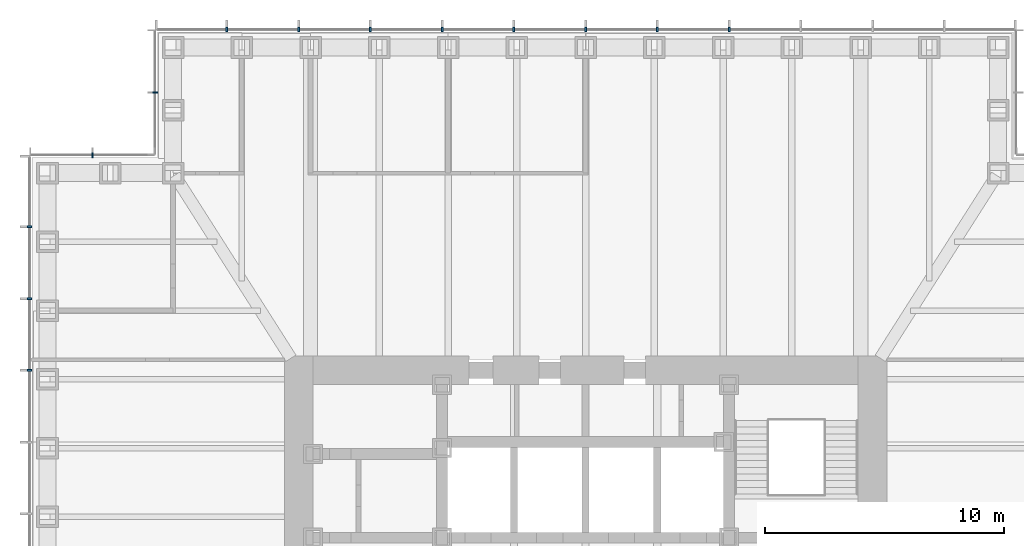
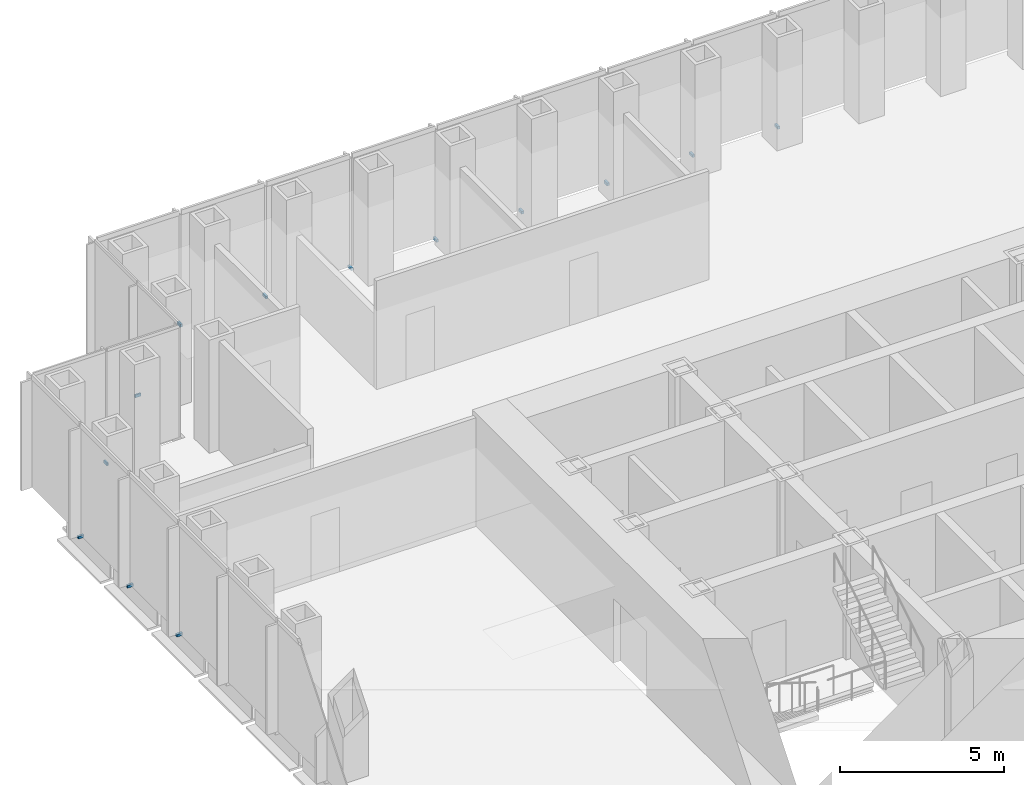
# One storey, part 14 of 16: 13 discrete accessories.
"""IFC4 building model written with IfcOpenShell, lengths in metres."""

from ifc_helpers import new_model, si_unit, direction, frame, origin, origin_2d, place, context, subcontext, project, spatial, rectangle, extrude, element, save


model = new_model("IFC4")

# Units and contexts
model_context = context("Model", 3, precision=1e-05, world=origin(), true_north=direction((0.0, 1.0)))
body_context = subcontext(model_context, "Body", "Model", "MODEL_VIEW")
ifc_project = project(units=[si_unit("LENGTHUNIT", "METRE"), si_unit("AREAUNIT", "SQUARE_METRE"), si_unit("VOLUMEUNIT", "CUBIC_METRE"), si_unit("PLANEANGLEUNIT", "RADIAN"), si_unit("MASSUNIT", "GRAM", prefix="KILO")], contexts=[model_context])

# Site, building, storey
site_placement = place(None, origin())
site = spatial("IfcSite", under=ifc_project, at=site_placement, CompositionType="ELEMENT")
building_placement = place(site_placement, origin())
building = spatial("IfcBuilding", under=site, at=building_placement, Name="Daluyong Arena Tower", CompositionType="ELEMENT")
storey_placement = place(building_placement, frame((0.0, 0.0, 141.699951171875)))
storey = spatial("IfcBuildingStorey", under=building, at=storey_placement, Name="L31", CompositionType="ELEMENT", Elevation=141.699951171875)

# Discrete accessories
for number, where, z_axis, x_axis, name in (
    (1, (62.0, 103.25, -0.10009765625), (0.0, 0.0, 1.0), (-1.0, 0.0, 0.0), "curtain wall L31 N anchor bracket 5"),
    (2, (59.0, 103.25, -0.10009765625), (0.0, 0.0, 1.0), (-1.0, 0.0, 0.0), "curtain wall L31 N anchor bracket 6"),
    (3, (56.0, 103.25, -0.10009765625), (0.0, 0.0, 1.0), (-1.0, 0.0, 0.0), "curtain wall L31 N anchor bracket 7"),
    (4, (53.0, 103.25, -0.10009765625), (0.0, 0.0, 1.0), (-1.0, 0.0, 0.0), "curtain wall L31 N anchor bracket 8"),
    (5, (50.0, 103.25, -0.10009765625), (0.0, 0.0, 1.0), (-1.0, 0.0, 0.0), "curtain wall L31 N anchor bracket 9"),
    (6, (47.0, 103.25, -0.10009765625), (0.0, 0.0, 1.0), (-1.0, 0.0, 0.0), "curtain wall L31 N anchor bracket 10"),
    (7, (44.0, 103.25, -0.10009765625), (0.0, 0.0, 1.0), (-1.0, 0.0, 0.0), "curtain wall L31 N anchor bracket 11"),
    (8, (41.0, 103.25, -0.10009765625), (0.0, 0.0, 1.0), (-1.0, 0.0, 0.0), "curtain wall L31 N anchor bracket 12"),
):
    element("IfcDiscreteAccessory", number, at=place(storey_placement, frame(where, z_axis=z_axis, x_axis=x_axis)), inside=storey, Name=name, PredefinedType="BRACKET", context=body_context, shape_type="SweptSolid", body=[
        extrude(rectangle(XDim=0.080078125, YDim=0.199951171875, at=origin_2d()), origin(), (0.0, 0.0, 1.0), 0.10009765625),
    ])
for number, where, z_axis, x_axis, name in (
    (9, (38.0, 100.625, -0.10009765625), (0.0, 0.0, 1.0), (0.0, -1.0, 0.0), "curtain wall L31 NW-W anchor bracket 2"),
    (10, (35.375, 98.0, -0.10009765625), (0.0, 0.0, 1.0), (-1.0, 0.0, 0.0), "curtain wall L31 NW-N anchor bracket 2"),
):
    element("IfcDiscreteAccessory", number, at=place(storey_placement, frame(where, z_axis=z_axis, x_axis=x_axis)), inside=storey, Name=name, PredefinedType="BRACKET", context=body_context, shape_type="SweptSolid", body=[
        extrude(rectangle(XDim=0.06005859375, YDim=0.199951171875, at=origin_2d()), origin(), (0.0, 0.0, 1.0), 0.10009765625),
    ])
for number, where, z_axis, x_axis, name in (
    (11, (32.75, 95.0, -0.10009765625), (0.0, 0.0, 1.0), (0.0, -1.0, 0.0), "curtain wall L31 W anchor bracket 2"),
    (12, (32.75, 92.0, -0.10009765625), (0.0, 0.0, 1.0), (0.0, -1.0, 0.0), "curtain wall L31 W anchor bracket 3"),
    (13, (32.75, 89.0, -0.10009765625), (0.0, 0.0, 1.0), (0.0, -1.0, 0.0), "curtain wall L31 W anchor bracket 4"),
):
    element("IfcDiscreteAccessory", number, at=place(storey_placement, frame(where, z_axis=z_axis, x_axis=x_axis)), inside=storey, Name=name, PredefinedType="BRACKET", context=body_context, shape_type="SweptSolid", body=[
        extrude(rectangle(XDim=0.080078125, YDim=0.199951171875, at=origin_2d()), origin(), (0.0, 0.0, 1.0), 0.10009765625),
    ])

save(model, "model.ifc")
